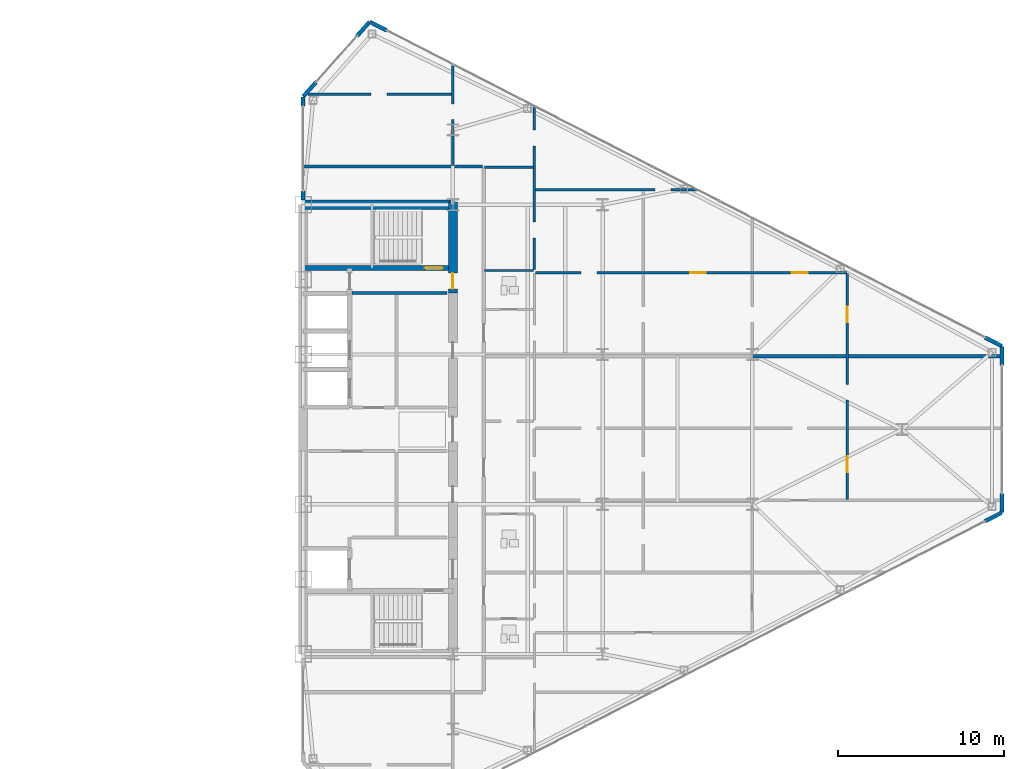
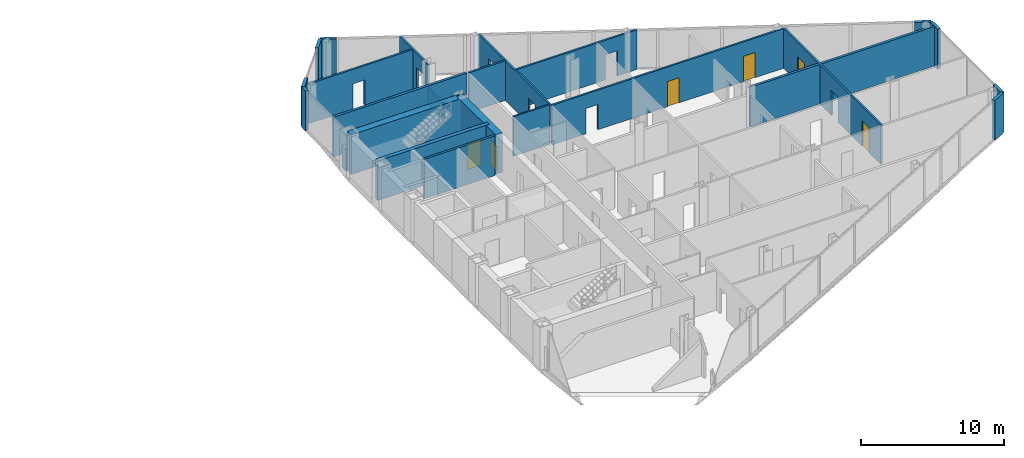
# One storey, part 20 of 23: 24 walls, 6 doors, 13 openings.
"""IFC4 building model written with IfcOpenShell, lengths in metres."""

from ifc_helpers import new_model, si_unit, direction, frame, frame_2d, origin, place, context, subcontext, project, spatial, rectangle, extrude, source, transform, mapped, material, layer, layer_set, type_object, type_shapes, element, fill, save


model = new_model("IFC4")

# Units and contexts
model_context = context("Model", 3, precision=1e-05, world=origin(), true_north=direction((0.0, 1.0)))
body_context = subcontext(model_context, "Body", "Model", "MODEL_VIEW")
ifc_project = project(units=[si_unit("LENGTHUNIT", "METRE"), si_unit("AREAUNIT", "SQUARE_METRE"), si_unit("VOLUMEUNIT", "CUBIC_METRE"), si_unit("PLANEANGLEUNIT", "RADIAN"), si_unit("MASSUNIT", "GRAM", prefix="KILO")], contexts=[model_context])

# Site, building, storey
site_placement = place(None, origin())
site = spatial("IfcSite", under=ifc_project, at=site_placement, CompositionType="ELEMENT")
building_placement = place(site_placement, origin())
building = spatial("IfcBuilding", under=site, at=building_placement, Name="Seokmaru Belvedere", CompositionType="ELEMENT")
storey_placement = place(building_placement, frame((0.0, 0.0, 154.800048828125)))
storey = spatial("IfcBuildingStorey", under=building, at=storey_placement, Name="L41", CompositionType="ELEMENT", Elevation=154.800048828125)

# Wall, openings, doors
ifc_material_1 = material(Name="Fire-Rated Gypsum Shaftwall")
ifc_layer_1 = layer(ifc_material_1, 0.14990234375)
ifc_layer_set_1 = layer_set([ifc_layer_1], Name="Fire-Rated Gypsum Shaftwall")
wall_type_1 = type_object("IfcWallType", Name="Apartment Fire-Acoustic Room Partition 150", PredefinedType="PARTITIONING", material=ifc_layer_set_1)
wall_1_placement = place(storey_placement, frame((41.449951171875, 9.409912109375, 0.0), z_axis=(0.0, 0.0, 1.0), x_axis=(1.0, 0.0, 0.0)))
wall_1 = element("IfcWall", 1, at=wall_1_placement, inside=storey, type_object=wall_type_1, Name="L41 Interior Partition 027", PredefinedType="PARTITIONING", context=body_context, shape_type="SweptSolid", body=[
    extrude(rectangle(XDim=18.699951171875, YDim=0.14990234375, at=frame_2d((9.35009765625, 0.0))), origin(), (0.0, 0.0, 1.0), 3.3798828125),
])
opening_1_placement = place(wall_1_placement, frame((2.75, 0.0, 0.0)))
element("IfcOpeningElement", 2, at=opening_1_placement, cuts=wall_1, Name="L41 Cased Opening 058", PredefinedType="OPENING", context=body_context, shape_type="SweptSolid", body=[
    extrude(rectangle(XDim=0.949951171875, YDim=2.14990234375, at=frame_2d((0.47509765625, 1.074951171875))), frame((0.0, 0.0849609375, 0.0), z_axis=(0.0, -1.0, 0.0), x_axis=(1.0, 0.0, 0.0)), (0.0, 0.0, 1.0), 0.169921875),
])
opening_2_placement = place(wall_1_placement, frame((15.425048828125, 0.0, 0.0)))
opening_2 = element("IfcOpeningElement", 3, at=opening_2_placement, cuts=wall_1, Name="Opening D05", PredefinedType="OPENING", context=body_context, shape_type="SweptSolid", body=[
    extrude(rectangle(XDim=0.949951171875, YDim=2.14990234375, at=frame_2d((0.47509765625, 1.074951171875))), frame((0.0, 0.0849609375, 0.0), z_axis=(0.0, -1.0, 0.0), x_axis=(1.0, 0.0, 0.0)), (0.0, 0.0, 1.0), 0.169921875),
])
opening_3_placement = place(wall_1_placement, frame((9.300048828125, 0.0, 0.0)))
opening_3 = element("IfcOpeningElement", 4, at=opening_3_placement, cuts=wall_1, Name="Opening D05", PredefinedType="OPENING", context=body_context, shape_type="SweptSolid", body=[
    extrude(rectangle(XDim=0.949951171875, YDim=2.14990234375, at=frame_2d((0.47509765625, 1.074951171875))), frame((0.0, 0.0849609375, 0.0), z_axis=(0.0, -1.0, 0.0), x_axis=(1.0, 0.0, 0.0)), (0.0, 0.0, 1.0), 0.169921875),
])
ifc_material_2 = material(Name="Engineered White Oak Timber", Category="wood")
door_type_1 = type_object("IfcDoorType", Name="Apartment Interior Fire-Rated Oak Door 950x2150", OperationType="NOTDEFINED", PredefinedType="DOOR", material=ifc_material_2)
shared_shape_1 = source(origin(), body_context, "Body", "SweptSolid", [
    extrude(rectangle(XDim=0.949951171875, YDim=2.14990234375, at=frame_2d((0.47509765625, 1.074951171875))), frame((0.0, 0.02490234375, 0.0), z_axis=(0.0, -1.0, 0.0), x_axis=(1.0, 0.0, 0.0)), (0.0, 0.0, 1.0), 0.050048828125),
])
type_shapes(door_type_1, [shared_shape_1])
door_1_placement = place(opening_2_placement, origin())
door_1 = element("IfcDoor", 5, at=door_1_placement, inside=storey, type_object=door_type_1, Name="L41 Interior Door 062", OperationType="SINGLE_SWING_LEFT", OverallHeight=2.14990234375, OverallWidth=0.949951171875, PredefinedType="DOOR", context=body_context, shape_type="MappedRepresentation", body=[
    mapped(shared_shape_1, transform((0.0, 0.0, 0.0), scale=1.0)),
])
fill(opening_2, door_1)
door_2_placement = place(opening_3_placement, origin())
door_2 = element("IfcDoor", 6, at=door_2_placement, inside=storey, type_object=door_type_1, Name="L41 Interior Door 063", OperationType="SINGLE_SWING_LEFT", OverallHeight=2.14990234375, OverallWidth=0.949951171875, PredefinedType="DOOR", context=body_context, shape_type="MappedRepresentation", body=[
    mapped(shared_shape_1, transform((0.0, 0.0, 0.0), scale=1.0)),
])
fill(opening_3, door_2)

# Wall, opening
wall_2_placement = place(storey_placement, frame((41.449951171875, 14.409912109375, 0.0), z_axis=(0.0, 0.0, 1.0), x_axis=(1.0, 0.0, 0.0)))
wall_2 = element("IfcWall", 7, at=wall_2_placement, inside=storey, type_object=wall_type_1, Name="L41 Interior Partition 032", PredefinedType="PARTITIONING", context=body_context, shape_type="SweptSolid", body=[
    extrude(rectangle(XDim=9.740966796875, YDim=0.14990234375, at=frame_2d((4.87060546875, 0.0))), origin(), (0.0, 0.0, 1.0), 3.3798828125),
])
opening_4_placement = place(wall_2_placement, frame((7.20068359375, 0.0, 0.0)))
element("IfcOpeningElement", 8, at=opening_4_placement, cuts=wall_2, Name="L41 Cased Opening 064", PredefinedType="OPENING", context=body_context, shape_type="SweptSolid", body=[
    extrude(rectangle(XDim=0.949951171875, YDim=2.14990234375, at=frame_2d((0.47509765625, 1.074951171875))), frame((0.0, 0.0849609375, 0.0), z_axis=(0.0, -1.0, 0.0), x_axis=(1.0, 0.0, 0.0)), (0.0, 0.0, 1.0), 0.169921875),
])

# Wall
wall_3_placement = place(storey_placement, frame((38.39990234375, 15.739990234375, 0.0), z_axis=(0.0, 0.0, 1.0), x_axis=(1.0, 0.0, 0.0)))
element("IfcWall", 9, at=wall_3_placement, inside=storey, type_object=wall_type_1, Name="L41 Interior Partition 033", PredefinedType="PARTITIONING", context=body_context, shape_type="SweptSolid", body=[
    extrude(rectangle(XDim=2.9501953125, YDim=0.14990234375, at=frame_2d((1.47509765625, 0.0))), origin(), (0.0, 0.0, 1.0), 3.3798828125),
])

# Wall, opening
wall_4_placement = place(storey_placement, frame((27.800537109375, 20.14990234375, 0.0), z_axis=(0.0, 0.0, 1.0), x_axis=(1.0, 0.0, 0.0)))
wall_4 = element("IfcWall", 10, at=wall_4_placement, inside=storey, type_object=wall_type_1, Name="L41 Interior Partition 037", PredefinedType="PARTITIONING", context=body_context, shape_type="SweptSolid", body=[
    extrude(rectangle(XDim=8.6494140625, YDim=0.14990234375, at=frame_2d((4.32470703125, 0.0))), origin(), (0.0, 0.0, 1.0), 3.3798828125),
])
opening_5_placement = place(wall_4_placement, frame((3.791015625, 0.0, 0.0)))
element("IfcOpeningElement", 11, at=opening_5_placement, cuts=wall_4, Name="L41 Cased Opening 067", PredefinedType="OPENING", context=body_context, shape_type="SweptSolid", body=[
    extrude(rectangle(XDim=0.949951171875, YDim=2.14990234375, at=frame_2d((0.47509765625, 1.074951171875))), frame((0.0, 0.0849609375, 0.0), z_axis=(0.0, -1.0, 0.0), x_axis=(1.0, 0.0, 0.0)), (0.0, 0.0, 1.0), 0.169921875),
])

# Wall
wall_5_placement = place(storey_placement, frame((36.5, 15.85009765625, 0.0), z_axis=(0.0, 0.0, 1.0), x_axis=(0.0, 1.0, 0.0)))
element("IfcWall", 12, at=wall_5_placement, inside=storey, type_object=wall_type_1, Name="L41 Interior Partition 049", PredefinedType="PARTITIONING", context=body_context, shape_type="SweptSolid", body=[
    extrude(rectangle(XDim=2.169921875, YDim=0.14990234375, at=frame_2d((1.0849609375, 0.0))), origin(), (0.0, 0.0, 1.0), 1.3798828125),
])

# Wall, opening
wall_6_placement = place(storey_placement, frame((36.5, 18.02001953125, 0.0), z_axis=(0.0, 0.0, 1.0), x_axis=(0.0, 1.0, 0.0)))
wall_6 = element("IfcWall", 13, at=wall_6_placement, inside=storey, type_object=wall_type_1, Name="L41 Interior Partition 049 Part 2", PredefinedType="PARTITIONING", context=body_context, shape_type="SweptSolid", body=[
    extrude(rectangle(XDim=3.948974609375, YDim=0.14990234375, at=frame_2d((1.974609375, 0.0))), origin(), (0.0, 0.0, 1.0), 3.3798828125),
])
opening_6_placement = place(wall_6_placement, frame((0.5908203125, 0.0, 0.0)))
element("IfcOpeningElement", 14, at=opening_6_placement, cuts=wall_6, Name="L41 Cased Opening 066", PredefinedType="OPENING", context=body_context, shape_type="SweptSolid", body=[
    extrude(rectangle(XDim=0.949951171875, YDim=2.14990234375, at=frame_2d((0.47509765625, 1.074951171875))), frame((0.0, 0.0849609375, 0.0), z_axis=(0.0, -1.0, 0.0), x_axis=(1.0, 0.0, 0.0)), (0.0, 0.0, 1.0), 0.169921875),
])

# Wall, openings
wall_7_placement = place(storey_placement, frame((41.39990234375, 9.594970703125, 0.0), z_axis=(0.0, 0.0, 1.0), x_axis=(0.0, 1.0, 0.0)))
wall_7 = element("IfcWall", 15, at=wall_7_placement, inside=storey, type_object=wall_type_1, Name="L41 Interior Partition 055", PredefinedType="PARTITIONING", context=body_context, shape_type="SweptSolid", body=[
    extrude(rectangle(XDim=9.860107421875, YDim=0.14990234375, at=frame_2d((4.93017578125, 0.0))), origin(), (0.0, 0.0, 1.0), 3.3798828125),
])
opening_7_placement = place(wall_7_placement, frame((1.9091796875, 0.0, 0.0)))
element("IfcOpeningElement", 16, at=opening_7_placement, cuts=wall_7, Name="L41 Cased Opening 059", PredefinedType="OPENING", context=body_context, shape_type="SweptSolid", body=[
    extrude(rectangle(XDim=0.949951171875, YDim=2.14990234375, at=frame_2d((0.47509765625, 1.074951171875))), frame((0.0, 0.0849609375, 0.0), z_axis=(0.0, -1.0, 0.0), x_axis=(1.0, 0.0, 0.0)), (0.0, 0.0, 1.0), 0.169921875),
])
opening_8_placement = place(wall_7_placement, frame((7.446533203125, 0.0, 0.0)))
element("IfcOpeningElement", 17, at=opening_8_placement, cuts=wall_7, Name="L41 Cased Opening 065", PredefinedType="OPENING", context=body_context, shape_type="SweptSolid", body=[
    extrude(rectangle(XDim=0.949951171875, YDim=2.14990234375, at=frame_2d((0.47509765625, 1.074951171875))), frame((0.0, 0.0849609375, 0.0), z_axis=(0.0, -1.0, 0.0), x_axis=(1.0, 0.0, 0.0)), (0.0, 0.0, 1.0), 0.169921875),
])

# Wall, openings, doors
wall_8_placement = place(storey_placement, frame((60.199951171875, -4.217041015625, 0.0), z_axis=(0.0, 0.0, 1.0), x_axis=(0.0, 1.0, 0.0)))
wall_8 = element("IfcWall", 18, at=wall_8_placement, inside=storey, type_object=wall_type_1, Name="L41 Interior Partition 058", PredefinedType="PARTITIONING", context=body_context, shape_type="SweptSolid", body=[
    extrude(rectangle(XDim=13.573974609375, YDim=0.14990234375, at=frame_2d((6.787109375, 0.0))), origin(), (0.0, 0.0, 1.0), 3.3798828125),
])
opening_9_placement = place(wall_8_placement, frame((1.64208984375, 0.0, 0.0)))
opening_9 = element("IfcOpeningElement", 19, at=opening_9_placement, cuts=wall_8, Name="Opening D05", PredefinedType="OPENING", context=body_context, shape_type="SweptSolid", body=[
    extrude(rectangle(XDim=0.949951171875, YDim=2.14990234375, at=frame_2d((0.47509765625, 1.074951171875))), frame((0.0, 0.0849609375, 0.0), z_axis=(0.0, -1.0, 0.0), x_axis=(1.0, 0.0, 0.0)), (0.0, 0.0, 1.0), 0.169921875),
])
opening_10_placement = place(wall_8_placement, frame((5.975341796875, 0.0, 0.0)))
element("IfcOpeningElement", 20, at=opening_10_placement, cuts=wall_8, Name="L41 Cased Opening 051", PredefinedType="OPENING", context=body_context, shape_type="SweptSolid", body=[
    extrude(rectangle(XDim=0.949951171875, YDim=2.14990234375, at=frame_2d((0.47509765625, 1.074951171875))), frame((0.0, 0.0849609375, 0.0), z_axis=(0.0, -1.0, 0.0), x_axis=(1.0, 0.0, 0.0)), (0.0, 0.0, 1.0), 0.169921875),
])
opening_11_placement = place(wall_8_placement, frame((10.645263671875, 0.0, 0.0)))
opening_11 = element("IfcOpeningElement", 21, at=opening_11_placement, cuts=wall_8, Name="Opening D05", PredefinedType="OPENING", context=body_context, shape_type="SweptSolid", body=[
    extrude(rectangle(XDim=0.949951171875, YDim=2.14990234375, at=frame_2d((0.47509765625, 1.074951171875))), frame((0.0, 0.0849609375, 0.0), z_axis=(0.0, -1.0, 0.0), x_axis=(1.0, 0.0, 0.0)), (0.0, 0.0, 1.0), 0.169921875),
])
door_3_placement = place(opening_9_placement, origin())
door_3 = element("IfcDoor", 22, at=door_3_placement, inside=storey, type_object=door_type_1, Name="L41 Interior Door 049", OperationType="SINGLE_SWING_LEFT", OverallHeight=2.14990234375, OverallWidth=0.949951171875, PredefinedType="DOOR", context=body_context, shape_type="MappedRepresentation", body=[
    mapped(shared_shape_1, transform((0.0, 0.0, 0.0), scale=1.0)),
])
fill(opening_9, door_3)
door_4_placement = place(opening_11_placement, origin())
door_4 = element("IfcDoor", 23, at=door_4_placement, inside=storey, type_object=door_type_1, Name="L41 Interior Door 061", OperationType="SINGLE_SWING_LEFT", OverallHeight=2.14990234375, OverallWidth=0.949951171875, PredefinedType="DOOR", context=body_context, shape_type="MappedRepresentation", body=[
    mapped(shared_shape_1, transform((0.0, 0.0, 0.0), scale=1.0)),
])
fill(opening_11, door_4)

# Walls
ifc_layer_2 = layer(ifc_material_1, 0.179931640625)
ifc_layer_set_2 = layer_set([ifc_layer_2], Name="Fire-Rated Gypsum Shaftwall")
wall_type_2 = type_object("IfcWallType", Name="Core Service Fire Partition 180", PredefinedType="PARTITIONING", material=ifc_layer_set_2)
wall_9_placement = place(storey_placement, frame((30.449951171875, 8.199951171875, 0.0), z_axis=(0.0, 0.0, 1.0), x_axis=(1.0, 0.0, 0.0)))
element("IfcWall", 24, at=wall_9_placement, inside=storey, type_object=wall_type_2, Name="L41 East Smokeproof Vestibule Partition", PredefinedType="PARTITIONING", context=body_context, shape_type="SweptSolid", body=[
    extrude(rectangle(XDim=5.699951171875, YDim=0.179931640625, at=frame_2d((2.85009765625, 0.0))), origin(), (0.0, 0.0, 1.0), 3.3798828125),
])
ifc_layer_3 = layer(ifc_material_1, 0.199951171875)
ifc_layer_set_3 = layer_set([ifc_layer_3], Name="Fire-Rated Gypsum Shaftwall")
wall_type_3 = type_object("IfcWallType", Name="Inter-Tenancy Fire Compartment Partition 200", PredefinedType="PARTITIONING", material=ifc_layer_set_3)
wall_10_placement = place(storey_placement, frame((54.52001953125, 4.39990234375, 0.0), z_axis=(0.0, 0.0, 1.0), x_axis=(1.0, 0.0, 0.0)))
element("IfcWall", 25, at=wall_10_placement, inside=storey, type_object=wall_type_3, Name="L41 Interior Partition 022 Part 2", PredefinedType="PARTITIONING", context=body_context, shape_type="SweptSolid", body=[
    extrude(rectangle(XDim=14.85498046875, YDim=0.199951171875, at=frame_2d((7.427490234375, 0.0))), origin(), (0.0, 0.0, 1.0), 3.3798828125),
])
wall_11_placement = place(storey_placement, frame((27.5, 15.800048828125, 0.0), z_axis=(0.0, 0.0, 1.0), x_axis=(1.0, 0.0, 0.0)))
element("IfcWall", 26, at=wall_11_placement, inside=storey, type_object=wall_type_3, Name="L41 Interior Partition 035", PredefinedType="PARTITIONING", context=body_context, shape_type="SweptSolid", body=[
    extrude(rectangle(XDim=10.764892578125, YDim=0.199951171875, at=frame_2d((5.38232421875, 0.0))), origin(), (0.0, 0.0, 1.0), 3.3798828125),
])

# Wall, opening, door
ifc_material_3 = material(Name="Concrete C50 (50 MPa)", Category="concrete")
ifc_layer_4 = layer(ifc_material_3, 0.300048828125)
ifc_layer_set_4 = layer_set([ifc_layer_4], Name="Concrete C50 (50 MPa)")
wall_type_4 = type_object("IfcWallType", Name="Internal Core Stair and Hoistway Wall 300", PredefinedType="SHEAR", material=ifc_layer_set_4)
wall_12_placement = place(storey_placement, frame((27.5, 9.699951171875, 0.0), z_axis=(0.0, 0.0, 1.0), x_axis=(1.0, 0.0, 0.0)))
wall_12 = element("IfcWall", 27, at=wall_12_placement, inside=storey, type_object=wall_type_4, Name="L41 East Stair ST-2 Enclosure Wall", PredefinedType="SHEAR", context=body_context, shape_type="SweptSolid", body=[
    extrude(rectangle(XDim=9.0, YDim=0.300048828125, at=frame_2d((4.5, 0.0))), origin(), (0.0, 0.0, 1.0), 3.3798828125),
])
opening_12_placement = place(wall_12_placement, frame((7.300048828125, 0.0, 0.0)))
opening_12 = element("IfcOpeningElement", 28, at=opening_12_placement, cuts=wall_12, Name="Opening D01", PredefinedType="OPENING", context=body_context, shape_type="SweptSolid", body=[
    extrude(rectangle(XDim=1.10009765625, YDim=2.199951171875, at=frame_2d((0.550048828125, 1.10009765625))), frame((0.0, 0.16015625, 0.0), z_axis=(0.0, -1.0, 0.0), x_axis=(1.0, 0.0, 0.0)), (0.0, 0.0, 1.0), 0.320068359375),
])
ifc_material_4 = material(Name="Fire-Rated Steel Leaf", Category="steel")
door_type_2 = type_object("IfcDoorType", Name="Special Escape Stair Smokeproof Fire Door 1100x2200", OperationType="NOTDEFINED", PredefinedType="DOOR", material=ifc_material_4)
shared_shape_2 = source(origin(), body_context, "Body", "SweptSolid", [
    extrude(rectangle(XDim=1.10009765625, YDim=2.199951171875, at=frame_2d((0.550048828125, 1.10009765625))), frame((0.0, 0.02490234375, 0.0), z_axis=(0.0, -1.0, 0.0), x_axis=(1.0, 0.0, 0.0)), (0.0, 0.0, 1.0), 0.050048828125),
])
type_shapes(door_type_2, [shared_shape_2])
door_5_placement = place(opening_12_placement, origin())
door_5 = element("IfcDoor", 29, at=door_5_placement, inside=storey, type_object=door_type_2, Name="L41 East Special Escape Stair ST-2 Door", OperationType="SINGLE_SWING_LEFT", OverallHeight=2.199951171875, OverallWidth=1.10009765625, PredefinedType="DOOR", context=body_context, shape_type="MappedRepresentation", body=[
    mapped(shared_shape_2, transform((0.0, 0.0, 0.0), scale=1.0)),
])
fill(opening_12, door_5)

# Wall
ifc_layer_5 = layer(ifc_material_3, 0.550048828125)
ifc_layer_set_5 = layer_set([ifc_layer_5], Name="Concrete C50 (50 MPa)")
wall_type_5 = type_object("IfcWallType", Name="Mid-High Reinforced Concrete Core Wall 550", PredefinedType="SHEAR", material=ifc_layer_set_5)
wall_13_placement = place(storey_placement, frame((27.5, 13.5, 0.0), z_axis=(0.0, 0.0, 1.0), x_axis=(1.0, 0.0, 0.0)))
element("IfcWall", 30, at=wall_13_placement, inside=storey, type_object=wall_type_5, Name="L41 East North Core Wall", PredefinedType="SHEAR", context=body_context, shape_type="SweptSolid", body=[
    extrude(rectangle(XDim=9.0, YDim=0.550048828125, at=frame_2d((4.5, 0.0))), origin(), (0.0, 0.0, 1.0), 3.3798828125),
])

# Wall, opening, door
wall_14_placement = place(storey_placement, frame((36.5, 8.199951171875, 0.0), z_axis=(0.0, 0.0, 1.0), x_axis=(0.0, 1.0, 0.0)))
wall_14 = element("IfcWall", 31, at=wall_14_placement, inside=storey, type_object=wall_type_5, Name="L41 East West Core Wall VST", PredefinedType="SHEAR", context=body_context, shape_type="SweptSolid", body=[
    extrude(rectangle(XDim=5.449951171875, YDim=0.550048828125, at=frame_2d((2.72509765625, 0.0))), origin(), (0.0, 0.0, 1.0), 3.3798828125),
])
opening_13_placement = place(wall_14_placement, frame((0.2451171875, 0.0, 0.0)))
opening_13 = element("IfcOpeningElement", 32, at=opening_13_placement, cuts=wall_14, Name="Opening D04", PredefinedType="OPENING", context=body_context, shape_type="SweptSolid", body=[
    extrude(rectangle(XDim=0.949951171875, YDim=2.14990234375, at=frame_2d((0.47509765625, 1.074951171875))), frame((0.0, 0.28515625, 0.0), z_axis=(0.0, -1.0, 0.0), x_axis=(1.0, 0.0, 0.0)), (0.0, 0.0, 1.0), 0.570068359375),
])
door_type_3 = type_object("IfcDoorType", Name="Core Service Room Fire Door 950x2150", OperationType="NOTDEFINED", PredefinedType="DOOR", material=ifc_material_4)
shared_shape_3 = source(origin(), body_context, "Body", "SweptSolid", [
    extrude(rectangle(XDim=0.949951171875, YDim=2.14990234375, at=frame_2d((0.47509765625, 1.074951171875))), frame((0.0, 0.02490234375, 0.0), z_axis=(0.0, -1.0, 0.0), x_axis=(1.0, 0.0, 0.0)), (0.0, 0.0, 1.0), 0.050048828125),
])
type_shapes(door_type_3, [shared_shape_3])
door_6_placement = place(opening_13_placement, origin())
door_6 = element("IfcDoor", 33, at=door_6_placement, inside=storey, type_object=door_type_3, Name="L41 East Smokeproof Vestibule Door", OperationType="SINGLE_SWING_LEFT", OverallHeight=2.14990234375, OverallWidth=0.949951171875, PredefinedType="DOOR", context=body_context, shape_type="MappedRepresentation", body=[
    mapped(shared_shape_3, transform((0.0, 0.0, 0.0), scale=1.0)),
])
fill(opening_13, door_6)

# Walls
ifc_layer_6 = layer(ifc_material_1, 0.1298828125)
ifc_layer_set_6 = layer_set([ifc_layer_6], Name="Fire-Rated Gypsum Shaftwall")
wall_type_6 = type_object("IfcWallType", Name="Moisture-Resistant Fire-Rated Bathroom Partition 130", PredefinedType="PARTITIONING", material=ifc_layer_set_6)
wall_15_placement = place(storey_placement, frame((38.39990234375, 9.5400390625, 0.0), z_axis=(0.0, 0.0, 1.0), x_axis=(1.0, 0.0, 0.0)))
element("IfcWall", 34, at=wall_15_placement, inside=storey, type_object=wall_type_6, Name="L41 Interior Partition 028", PredefinedType="PARTITIONING", context=body_context, shape_type="SweptSolid", body=[
    extrude(rectangle(XDim=2.9501953125, YDim=0.1298828125, at=frame_2d((1.47509765625, 0.0))), origin(), (0.0, 0.0, 1.0), 3.3798828125),
])
ifc_material_5 = material(Name="Anodised Bronze Aluminium", Category="aluminium")
ifc_layer_7 = layer(ifc_material_5, 0.239990234375)
ifc_layer_set_7 = layer_set([ifc_layer_7], Name="Anodised Bronze Aluminium")
wall_type_7 = type_object("IfcWallType", Name="Tower Corner Spandrel Closure Wall 240", PredefinedType="SOLIDWALL", material=ifc_layer_set_7)
wall_16_placement = place(storey_placement, frame((68.476806640625, -5.52490234375, 0.0), z_axis=(0.0, 0.0, 1.0), x_axis=(0.889797395748, 0.456355776255, 0.0)))
element("IfcWall", 35, at=wall_16_placement, inside=storey, type_object=wall_type_7, Name="L41 E Corner Closure Pier 1B", PredefinedType="SOLIDWALL", context=body_context, shape_type="SweptSolid", body=[
    extrude(rectangle(XDim=1.14013671875, YDim=0.239990234375, at=frame_2d((0.570068359375, 0.0))), origin(), (0.0, 0.0, 1.0), 3.3798828125),
])
for number, where, z_axis, x_axis, name in (
    (36, (69.5, -4.989990234375, 0.0), (0.0, 0.0, 1.0), (0.0, 1.0, 0.0), "L41 E Corner Closure Pier 2A"),
    (37, (69.5, 3.85009765625, 0.0), (0.0, 0.0, 1.0), (0.0, 1.0, 0.0), "L41 E Corner Closure Pier 2B"),
):
    element("IfcWall", number, at=place(storey_placement, frame(where, z_axis=z_axis, x_axis=x_axis)), inside=storey, type_object=wall_type_7, Name=name, PredefinedType="SOLIDWALL", context=body_context, shape_type="SweptSolid", body=[
        extrude(rectangle(XDim=1.139892578125, YDim=0.239990234375, at=frame_2d((0.56982421875, 0.0))), origin(), (0.0, 0.0, 1.0), 3.3798828125),
    ])
for number, where, z_axis, x_axis, name in (
    (38, (69.4912109375, 5.004638671875, 0.0), (0.0, 0.0, 1.0), (-0.889797395748, 0.456355776255, 0.0), "L41 E Corner Closure Pier 3A"),
    (39, (32.523193359375, 23.97509765625, 0.0), (0.0, 0.0, 1.0), (-0.889797395748, 0.456355776255, 0.0), "L41 E Corner Closure Pier 3B"),
):
    element("IfcWall", number, at=place(storey_placement, frame(where, z_axis=z_axis, x_axis=x_axis)), inside=storey, type_object=wall_type_7, Name=name, PredefinedType="SOLIDWALL", context=body_context, shape_type="SweptSolid", body=[
        extrude(rectangle(XDim=1.14013671875, YDim=0.239990234375, at=frame_2d((0.570068359375, 0.0))), origin(), (0.0, 0.0, 1.0), 3.3798828125),
    ])
for number, where, z_axis, x_axis, name in (
    (40, (31.493408203125, 24.492431640625, 0.0), (0.0, 0.0, 1.0), (-0.664337252513, -0.747432950119, 0.0), "L41 E Corner Closure Pier 4A"),
    (41, (28.263916015625, 20.859619140625, 0.0), (0.0, 0.0, 1.0), (-0.664337252513, -0.747432950119, 0.0), "L41 E Corner Closure Pier 4B"),
):
    element("IfcWall", number, at=place(storey_placement, frame(where, z_axis=z_axis, x_axis=x_axis)), inside=storey, type_object=wall_type_7, Name=name, PredefinedType="SOLIDWALL", context=body_context, shape_type="SweptSolid", body=[
        extrude(rectangle(XDim=1.139892578125, YDim=0.239990234375, at=frame_2d((0.56982421875, 0.0))), origin(), (0.0, 0.0, 1.0), 3.3798828125),
    ])
wall_17_placement = place(storey_placement, frame((27.5, 13.780029296875, 0.0), z_axis=(0.0, 0.0, 1.0), x_axis=(0.0, 1.0, 0.0)))
element("IfcWall", 42, at=wall_17_placement, inside=storey, type_object=wall_type_7, Name="L41 E Spine Closure Pier 2A", PredefinedType="SOLIDWALL", context=body_context, shape_type="SweptSolid", body=[
    extrude(rectangle(XDim=0.550048828125, YDim=0.239990234375, at=frame_2d((0.27490234375, 0.0))), origin(), (0.0, 0.0, 1.0), 1.8798828125),
])
wall_18_placement = place(storey_placement, frame((27.5, 19.429931640625, 0.0), z_axis=(0.0, 0.0, 1.0), x_axis=(0.0, 1.0, 0.0)))
element("IfcWall", 43, at=wall_18_placement, inside=storey, type_object=wall_type_7, Name="L41 E Spine Closure Pier 2B", PredefinedType="SOLIDWALL", context=body_context, shape_type="SweptSolid", body=[
    extrude(rectangle(XDim=0.550048828125, YDim=0.239990234375, at=frame_2d((0.27490234375, 0.0))), origin(), (0.0, 0.0, 1.0), 3.3798828125),
])

save(model, "model.ifc")
